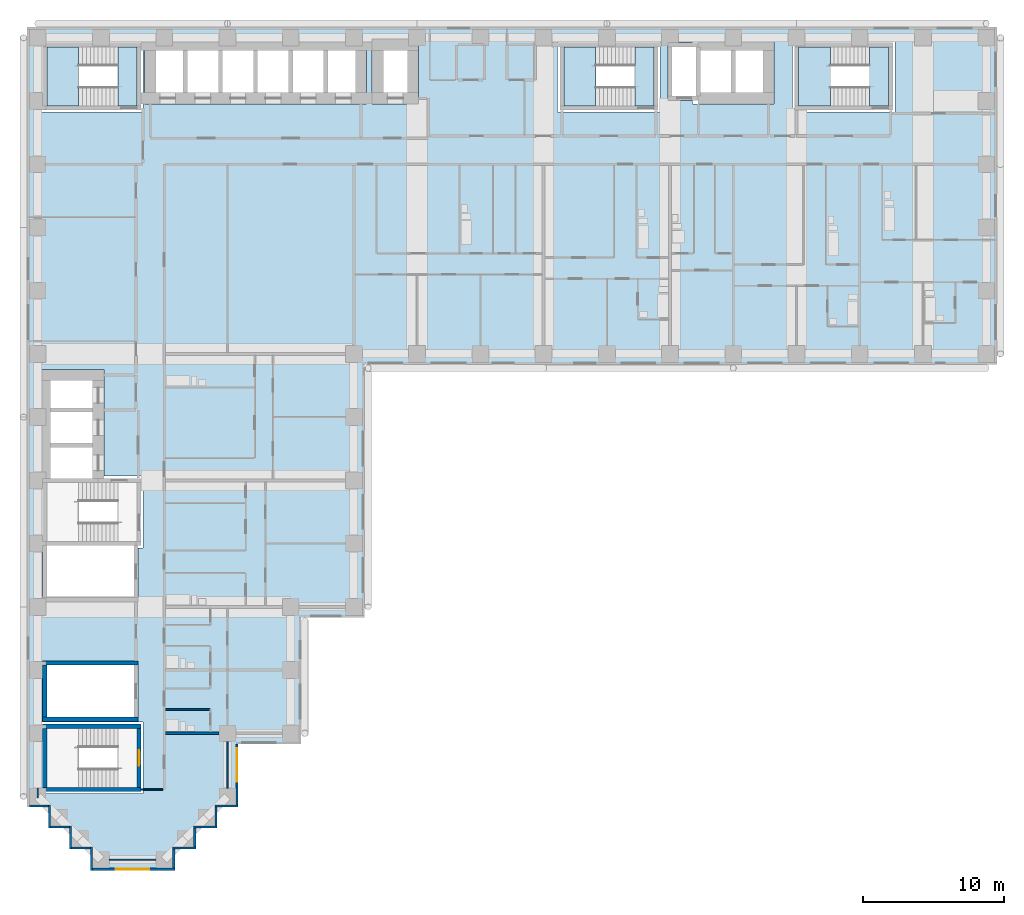
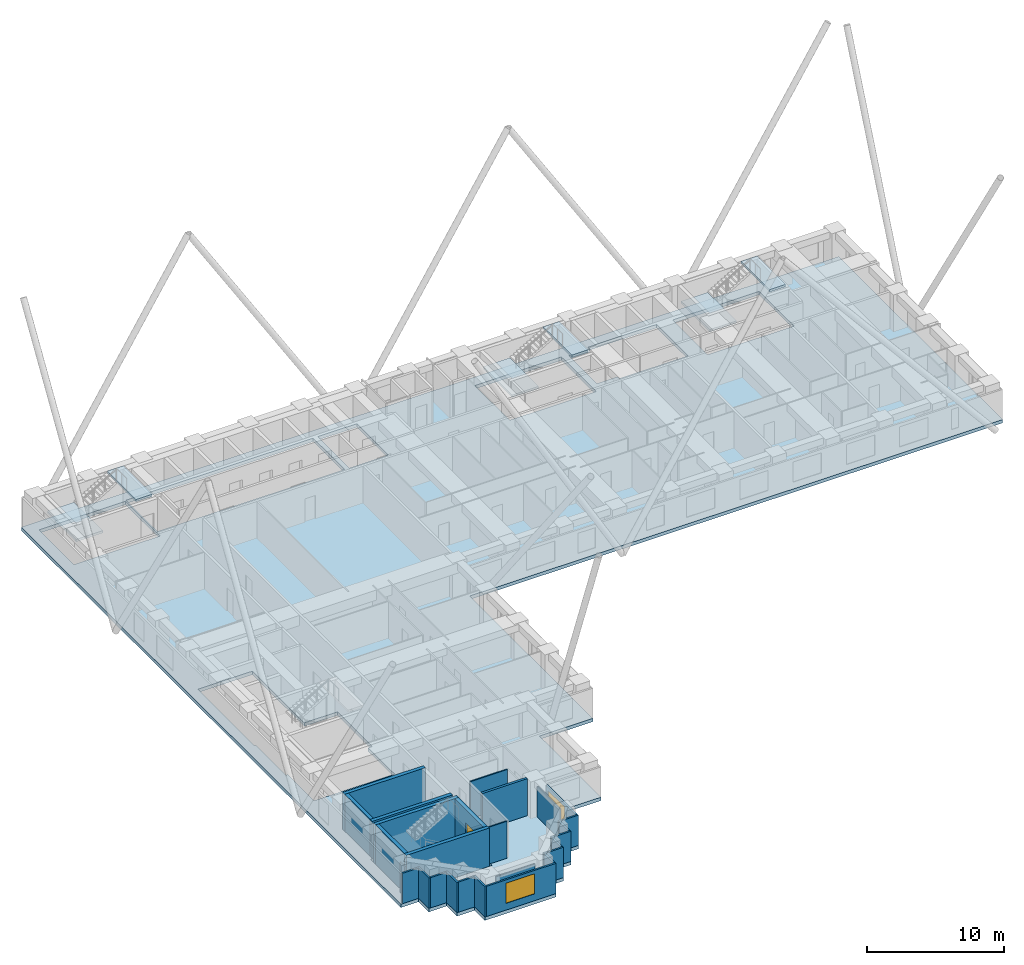
# One storey, part 2 of 13: 27 walls, 7 slabs, 2 windows, 1 door, 3 openings, 3 elements without a shape of their own.
"""IFC4 building model written with IfcOpenShell, lengths in metres."""

import ifcopenshell
import ifcopenshell.guid

model = None  # the IFC model being written
_history = None  # IfcOwnerHistory: only IFC2X3 demands one
_inside = {}  # id of a spatial element -> (the spatial element, [elements in it])
_under = {}  # id of a project, library or spatial element -> (it, [spatial elements below it])
_declared = {}  # id of a project -> (the project, [libraries it declares])
_typed = {}  # id of a type object -> (the type object, [elements of that type])
_made_of = {}  # id of a material, layer set ... -> (it, [elements and type objects made of it])


def new_model(schema):
    """Start an empty IFC model of exactly this schema.

    Asked for "IFC4X3", IfcOpenShell would pick the latest addendum, in which some entities
    have other attributes; the version numbers below select the first issue.
    IFC2X3 requires an IfcOwnerHistory on every rooted entity: one is made here for all.
    """
    global model, _history
    if schema == "IFC4X3":
        model = ifcopenshell.file(schema_version=(4, 3, 0, 0))
    else:
        model = ifcopenshell.file(schema=schema)
    _inside.clear()
    _under.clear()
    _declared.clear()
    _typed.clear()
    _made_of.clear()
    _history = None
    if model.schema == "IFC2X3":
        org = make("IfcOrganization", Name="unknown")
        user = make(
            "IfcPersonAndOrganization",
            ThePerson=make("IfcPerson", FamilyName="unknown"),
            TheOrganization=org,
        )
        app = make(
            "IfcApplication",
            ApplicationDeveloper=org,
            Version="unknown",
            ApplicationFullName="unknown",
            ApplicationIdentifier="unknown",
        )
        _history = make(
            "IfcOwnerHistory",
            OwningUser=user,
            OwningApplication=app,
            ChangeAction="ADDED",
            CreationDate=0,
        )
    return model


def make(cls, **values):
    """One entity of the class cls with the attributes given. An attribute that is None is left unset."""
    return model.create_entity(
        cls, **{name: value for name, value in values.items() if value is not None}
    )


def rooted(cls, **values):
    """An entity with a GlobalId (a new one), such as an element, a storey or a relation."""
    return make(cls, GlobalId=ifcopenshell.guid.new(), OwnerHistory=_history, **values)


def si_unit(unit_type, name, prefix=None):
    """IfcSIUnit, for example si_unit("LENGTHUNIT", "METRE", prefix="MILLI")."""
    return make("IfcSIUnit", UnitType=unit_type, Prefix=prefix, Name=name)


def assignment(units):
    """IfcUnitAssignment: the units of a project."""
    return None if units is None else make("IfcUnitAssignment", Units=units)


def point(xyz):
    """IfcCartesianPoint."""
    return None if xyz is None else make("IfcCartesianPoint", Coordinates=xyz)


def direction(xyz):
    """IfcDirection."""
    return None if xyz is None else make("IfcDirection", DirectionRatios=xyz)


def frame(location, z_axis=None, x_axis=None):
    """IfcAxis2Placement3D, a coordinate frame: its origin and axes. An axis left out is left unset."""
    return make(
        "IfcAxis2Placement3D",
        Location=point(location),
        Axis=direction(z_axis),
        RefDirection=direction(x_axis),
    )


def frame_2d(location, x_axis=None):
    """IfcAxis2Placement2D, a coordinate frame in the plane: its origin and x axis."""
    return make(
        "IfcAxis2Placement2D", Location=point(location), RefDirection=direction(x_axis)
    )


def origin():
    """The frame at (0, 0, 0) with its axes left unset."""
    return frame((0.0, 0.0, 0.0))


def place(relative_to, where):
    """IfcLocalPlacement: puts the frame where relative to a parent placement (None: the world)."""
    return make(
        "IfcLocalPlacement", PlacementRelTo=relative_to, RelativePlacement=where
    )


def context(
    kind, dimensions, precision=None, world=None, true_north=None, identifier=None
):
    """IfcGeometricRepresentationContext, for example the 3D "Model" context."""
    return make(
        "IfcGeometricRepresentationContext",
        ContextIdentifier=identifier,
        ContextType=kind,
        CoordinateSpaceDimension=dimensions,
        Precision=precision,
        WorldCoordinateSystem=world,
        TrueNorth=true_north,
    )


def subcontext(parent, identifier, kind, view, scale=None):
    """IfcGeometricRepresentationSubContext, for example "Body" below "Model"."""
    return make(
        "IfcGeometricRepresentationSubContext",
        ContextIdentifier=identifier,
        ContextType=kind,
        ParentContext=parent,
        TargetScale=scale,
        TargetView=view,
    )


def project(units=None, contexts=None):
    """IfcProject with its units and contexts."""
    return rooted(
        "IfcProject",
        Name="project",
        RepresentationContexts=contexts,
        UnitsInContext=assignment(units),
    )


def spatial(cls, under=None, at=None, **own):
    """A site, building, storey or space (cls), placed at a placement, below another one or the project."""
    s = rooted(cls, ObjectPlacement=at, **own)
    if under is not None:
        _under.setdefault(under.id(), (under, []))[1].append(s)
    return s


def polyline(points):
    """IfcPolyline through the points."""
    return make("IfcPolyline", Points=[point(p) for p in points])


def profile(cls, at=None, kind="AREA", **sizes):
    """A parametric profile (cls). Its sizes go by their IFC names, for example OverallWidth=200.0."""
    return make(cls, ProfileType=kind, Position=at, **sizes)


def rectangle(**sizes):
    """IfcRectangleProfileDef."""
    return profile("IfcRectangleProfileDef", **sizes)


def outline(outer, holes=None, kind="AREA"):
    """IfcArbitraryClosedProfileDef: a profile drawn as a closed curve; with holes, ...WithVoids."""
    if holes is None:
        return make("IfcArbitraryClosedProfileDef", ProfileType=kind, OuterCurve=outer)
    return make(
        "IfcArbitraryProfileDefWithVoids",
        ProfileType=kind,
        OuterCurve=outer,
        InnerCurves=holes,
    )


def extrude(swept, where, along, depth):
    """IfcExtrudedAreaSolid: the profile swept, set in the frame where, extruded along a direction by depth."""
    return make(
        "IfcExtrudedAreaSolid",
        SweptArea=swept,
        Position=where,
        ExtrudedDirection=direction(along),
        Depth=depth,
    )


def shape(context_of_items, identifier, shape_type, items):
    """IfcShapeRepresentation: the items that make up one representation, for example the "Body"."""
    return make(
        "IfcShapeRepresentation",
        ContextOfItems=context_of_items,
        RepresentationIdentifier=identifier,
        RepresentationType=shape_type,
        Items=items,
    )


def material(Name=None, Category=None):
    """IfcMaterial."""
    return make("IfcMaterial", Name=Name, Category=Category)


def layer(
    of_material, thickness, ventilated=None, Name=None, Category=None, Priority=None
):
    """IfcMaterialLayer: one layer of a wall or slab, of a material (None: an air gap)."""
    return make(
        "IfcMaterialLayer",
        Material=of_material,
        LayerThickness=thickness,
        IsVentilated=ventilated,
        Name=Name,
        Category=Category,
        Priority=Priority,
    )


def layer_set(layers, Name=None):
    """IfcMaterialLayerSet."""
    return make("IfcMaterialLayerSet", MaterialLayers=layers, LayerSetName=Name)


def made_of(thing, what):
    """Note that an element or type object is made of a material, layer set ...; save() writes the relation."""
    if what is not None:
        _made_of.setdefault(what.id(), (what, []))[1].append(thing)
    return thing


def type_object(cls, material=None, **own):
    """A type object (cls), such as IfcWallType, which elements share."""
    return made_of(rooted(cls, **own), material)


def element(
    cls,
    number,
    at=None,
    inside=None,
    cuts=None,
    type_object=None,
    material=None,
    context=None,
    identifier="Body",
    shape_type=None,
    held_by="IfcProductDefinitionShape",
    body=None,
    shapes=None,
    **own,
):
    """One element of the class cls, such as IfcWall. Its Tag is "e" and its number.

    at: its placement. inside: the storey or other place that contains it. cuts: it is an
    opening in that element (IfcRelVoidsElement). A single representation is given by context,
    identifier, shape_type and body (its items); several are given by shapes. held_by: the class
    of the entity that holds the representations. save() writes the other relations.
    """
    e = rooted(cls, Tag="e%d" % number, ObjectPlacement=at, **own)
    if body is not None:
        shapes = [shape(context, identifier, shape_type, body)]
    if shapes is not None:
        e.Representation = make(held_by, Representations=shapes)
    if inside is not None:
        _inside.setdefault(inside.id(), (inside, []))[1].append(e)
    if cuts is not None:
        rooted(
            "IfcRelVoidsElement", RelatingBuildingElement=cuts, RelatedOpeningElement=e
        )
    if type_object is not None:
        _typed.setdefault(type_object.id(), (type_object, []))[1].append(e)
    return made_of(e, material)


def fill(opening, filler):
    """IfcRelFillsElement: the door or window that sits in an opening."""
    return rooted(
        "IfcRelFillsElement",
        RelatingOpeningElement=opening,
        RelatedBuildingElement=filler,
    )


def aggregate(whole, parts):
    """IfcRelAggregates: a whole, such as a stair, and the parts it consists of."""
    return rooted("IfcRelAggregates", RelatingObject=whole, RelatedObjects=parts)


def save(model, path):
    """Write the relations noted so far, then the file.

    IfcRelAggregates (storeys below a building ...), IfcRelContainedInSpatialStructure (elements
    in a storey), IfcRelDefinesByType, IfcRelAssociatesMaterial and IfcRelDeclares: one each for
    every whole, place, type object, material and project.
    """
    for whole, parts in _under.values():
        aggregate(whole, parts)
    for where, things in _inside.values():
        rooted(
            "IfcRelContainedInSpatialStructure",
            RelatedElements=things,
            RelatingStructure=where,
        )
    for kind, things in _typed.values():
        rooted("IfcRelDefinesByType", RelatedObjects=things, RelatingType=kind)
    for what, things in _made_of.values():
        rooted("IfcRelAssociatesMaterial", RelatedObjects=things, RelatingMaterial=what)
    for by, libraries in _declared.values():
        rooted("IfcRelDeclares", RelatingContext=by, RelatedDefinitions=libraries)
    model.write(path)


model = new_model("IFC4")

# Units and contexts
model_context = context("Model", 3, precision=1e-05, world=origin(), true_north=direction((0.0, 1.0)))
body_context = subcontext(model_context, "Body", "Model", "MODEL_VIEW")
ifc_project = project(units=[si_unit("LENGTHUNIT", "METRE"), si_unit("AREAUNIT", "SQUARE_METRE"), si_unit("VOLUMEUNIT", "CUBIC_METRE"), si_unit("PLANEANGLEUNIT", "RADIAN"), si_unit("MASSUNIT", "GRAM", prefix="KILO")], contexts=[model_context])

# Site, building, storey
site_placement = place(None, origin())
site = spatial("IfcSite", under=ifc_project, at=site_placement, CompositionType="ELEMENT")
building_placement = place(site_placement, origin())
building = spatial("IfcBuilding", under=site, at=building_placement, Name="Firuza Court", CompositionType="ELEMENT")
storey_placement = place(building_placement, frame((0.0, 0.0, 72.199951171875)))
storey = spatial("IfcBuildingStorey", under=building, at=storey_placement, Name="L17", CompositionType="ELEMENT", Elevation=72.199951171875)

# Slab
ifc_material_1 = material(Name="Concrete C40/50", Category="concrete")
ifc_layer_1 = layer(ifc_material_1, 0.300048828125)
ifc_layer_set_1 = layer_set([ifc_layer_1], Name="Concrete C40/50")
slab_type_1 = type_object("IfcSlabType", Name="Floor slab 300 C40/50", PredefinedType="FLOOR", material=ifc_layer_set_1)
slab_1_placement = place(storey_placement, frame((0.0, 0.0, -0.300048828125)))
element("IfcSlab", 1, at=slab_1_placement, inside=storey, type_object=slab_type_1, Name="Floor slab L17", PredefinedType="FLOOR", context=body_context, shape_type="SweptSolid", body=[
    extrude(outline(polyline([(3.75, -0.75), (3.75, 0.75), (2.25, 0.75), (2.25, 2.25), (0.75, 2.25), (0.75, 3.75), (-0.75, 3.75), (-0.75, 59.25), (68.25, 59.25), (68.25, 35.25), (23.25, 35.25), (23.25, 17.25), (18.75, 17.25), (18.75, 8.25), (14.25, 8.25), (14.25, 3.75), (12.75, 3.75), (12.75, 2.25), (11.25, 2.25), (11.25, 0.75), (9.75, 0.75), (9.75, -0.75), (3.75, -0.75)]), holes=[polyline([(7.5, 9.800048828125), (0.199951171875, 9.800048828125), (0.199951171875, 4.699951171875), (7.5, 4.699951171875), (7.5, 9.800048828125)]), polyline([(7.14990234375, 14.14990234375), (0.35009765625, 14.14990234375), (0.35009765625, 9.85009765625), (7.14990234375, 9.85009765625), (7.14990234375, 14.14990234375)]), polyline([(0.199951171875, 22.199951171875), (0.35009765625, 22.199951171875), (0.35009765625, 18.35009765625), (7.14990234375, 18.35009765625), (7.14990234375, 22.199951171875), (7.5, 22.199951171875), (7.5, 27.300048828125), (4.699951171875, 27.300048828125), (4.699951171875, 29.10009765625), (4.699951171875, 29.89990234375), (4.699951171875, 31.60009765625), (4.699951171875, 32.39990234375), (4.699951171875, 34.89990234375), (0.10009765625, 34.89990234375), (0.10009765625, 32.39990234375), (0.10009765625, 31.60009765625), (0.10009765625, 29.89990234375), (0.10009765625, 29.10009765625), (0.10009765625, 26.60009765625), (0.199951171875, 26.60009765625), (0.199951171875, 22.199951171875)]), polyline([(7.5, 58.300048828125), (0.199951171875, 58.300048828125), (0.199951171875, 53.199951171875), (7.5, 53.199951171875), (7.5, 58.300048828125)]), polyline([(10.10009765625, 58.39990234375), (7.60009765625, 58.39990234375), (7.60009765625, 53.800048828125), (10.10009765625, 53.800048828125), (10.89990234375, 53.800048828125), (12.60009765625, 53.800048828125), (13.39990234375, 53.800048828125), (15.10009765625, 53.800048828125), (15.89990234375, 53.800048828125), (17.60009765625, 53.800048828125), (18.39990234375, 53.800048828125), (20.10009765625, 53.800048828125), (20.89990234375, 53.800048828125), (23.39990234375, 53.800048828125), (23.39990234375, 58.39990234375), (20.89990234375, 58.39990234375), (20.10009765625, 58.39990234375), (18.39990234375, 58.39990234375), (17.60009765625, 58.39990234375), (15.89990234375, 58.39990234375), (15.10009765625, 58.39990234375), (13.39990234375, 58.39990234375), (12.60009765625, 58.39990234375), (10.89990234375, 58.39990234375), (10.10009765625, 58.39990234375)]), polyline([(44.300048828125, 58.300048828125), (37.0, 58.300048828125), (37.0, 53.199951171875), (44.300048828125, 53.199951171875), (44.300048828125, 58.300048828125)]), polyline([(61.0, 58.300048828125), (53.699951171875, 58.300048828125), (53.699951171875, 53.199951171875), (61.0, 53.199951171875), (61.0, 58.300048828125)]), polyline([(27.10009765625, 58.39990234375), (23.800048828125, 58.39990234375), (23.800048828125, 53.800048828125), (27.10009765625, 53.800048828125), (27.10009765625, 58.39990234375)]), polyline([(46.60009765625, 58.14990234375), (44.85009765625, 58.14990234375), (44.85009765625, 54.050048828125), (46.60009765625, 54.050048828125), (46.60009765625, 53.800048828125), (49.10009765625, 53.800048828125), (49.89990234375, 53.800048828125), (52.39990234375, 53.800048828125), (52.39990234375, 58.39990234375), (49.89990234375, 58.39990234375), (49.10009765625, 58.39990234375), (46.60009765625, 58.39990234375), (46.60009765625, 58.14990234375)])]), origin(), (0.0, 0.0, 1.0), 0.300048828125),
])

# Stair, slabs
ifc_material_2 = material(Name="Concrete C40/50 precast", Category="concrete")
stair_type = type_object("IfcStairType", Name="Stair 1350 x 3600 2 flights", PredefinedType="HALF_TURN_STAIR", material=ifc_material_2)
stair_1_placement = place(storey_placement, origin())
stair_1 = element("IfcStair", 2, at=stair_1_placement, inside=storey, type_object=stair_type, Name="Stair 1 L17", PredefinedType="HALF_TURN_STAIR")
ifc_material_3 = material(Name="Concrete C40/50 precast", Category="concrete")
ifc_layer_2 = layer(ifc_material_3, 0.199951171875)
ifc_layer_set_2 = layer_set([ifc_layer_2], Name="Concrete C40/50 precast")
slab_type_2 = type_object("IfcSlabType", Name="Stair landing 200", PredefinedType="LANDING", material=ifc_layer_set_2)
slab_2_placement = place(storey_placement, frame((0.0, 0.0, 1.60009765625)))
slab_2 = element("IfcSlab", 3, at=slab_2_placement, type_object=slab_type_2, Name="S1 landing 1", PredefinedType="LANDING", context=body_context, shape_type="SweptSolid", body=[
    extrude(outline(polyline([(39.699951171875, 53.64990234375), (39.699951171875, 57.85009765625), (37.449951171875, 57.85009765625), (37.449951171875, 53.64990234375), (39.699951171875, 53.64990234375)])), origin(), (0.0, 0.0, 1.0), 0.199951171875),
])
slab_3_placement = place(storey_placement, frame((0.0, 0.0, 3.400146484375)))
slab_3 = element("IfcSlab", 4, at=slab_3_placement, type_object=slab_type_2, Name="S1 landing 2", PredefinedType="LANDING", context=body_context, shape_type="SweptSolid", body=[
    extrude(outline(polyline([(43.85009765625, 53.64990234375), (43.85009765625, 57.85009765625), (42.5, 57.85009765625), (42.5, 53.64990234375), (43.85009765625, 53.64990234375)])), origin(), (0.0, 0.0, 1.0), 0.199951171875),
])
aggregate(stair_1, [slab_2, slab_3])

stair_2_placement = place(storey_placement, origin())
stair_2 = element("IfcStair", 5, at=stair_2_placement, inside=storey, type_object=stair_type, Name="Stair 3 L17", PredefinedType="HALF_TURN_STAIR")
slab_4_placement = place(storey_placement, frame((0.0, 0.0, 1.60009765625)))
slab_4 = element("IfcSlab", 6, at=slab_4_placement, type_object=slab_type_2, Name="S3 landing 1", PredefinedType="LANDING", context=body_context, shape_type="SweptSolid", body=[
    extrude(outline(polyline([(2.89990234375, 53.64990234375), (2.89990234375, 57.85009765625), (0.64990234375, 57.85009765625), (0.64990234375, 53.64990234375), (2.89990234375, 53.64990234375)])), origin(), (0.0, 0.0, 1.0), 0.199951171875),
])
slab_5_placement = place(storey_placement, frame((0.0, 0.0, 3.400146484375)))
slab_5 = element("IfcSlab", 7, at=slab_5_placement, type_object=slab_type_2, Name="S3 landing 2", PredefinedType="LANDING", context=body_context, shape_type="SweptSolid", body=[
    extrude(outline(polyline([(7.050048828125, 53.64990234375), (7.050048828125, 57.85009765625), (5.699951171875, 57.85009765625), (5.699951171875, 53.64990234375), (7.050048828125, 53.64990234375)])), origin(), (0.0, 0.0, 1.0), 0.199951171875),
])
aggregate(stair_2, [slab_4, slab_5])

stair_3_placement = place(storey_placement, origin())
stair_3 = element("IfcStair", 8, at=stair_3_placement, inside=storey, type_object=stair_type, Name="Stair 4 L17", PredefinedType="HALF_TURN_STAIR")
slab_6_placement = place(storey_placement, frame((0.0, 0.0, 1.60009765625)))
slab_6 = element("IfcSlab", 9, at=slab_6_placement, type_object=slab_type_2, Name="S4 landing 1", PredefinedType="LANDING", context=body_context, shape_type="SweptSolid", body=[
    extrude(outline(polyline([(56.39990234375, 53.64990234375), (56.39990234375, 57.85009765625), (54.14990234375, 57.85009765625), (54.14990234375, 53.64990234375), (56.39990234375, 53.64990234375)])), origin(), (0.0, 0.0, 1.0), 0.199951171875),
])
slab_7_placement = place(storey_placement, frame((0.0, 0.0, 3.400146484375)))
slab_7 = element("IfcSlab", 10, at=slab_7_placement, type_object=slab_type_2, Name="S4 landing 2", PredefinedType="LANDING", context=body_context, shape_type="SweptSolid", body=[
    extrude(outline(polyline([(60.550048828125, 53.64990234375), (60.550048828125, 57.85009765625), (59.199951171875, 57.85009765625), (59.199951171875, 53.64990234375), (60.550048828125, 53.64990234375)])), origin(), (0.0, 0.0, 1.0), 0.199951171875),
])
aggregate(stair_3, [slab_6, slab_7])

# Walls
ifc_material_4 = material(Name="Moisture-resistant gypsum board partition")
ifc_layer_3 = layer(ifc_material_4, 0.10009765625)
ifc_layer_set_3 = layer_set([ifc_layer_3], Name="Moisture-resistant gypsum board partition")
wall_type_1 = type_object("IfcWallType", Name="Bathroom partition 100", PredefinedType="PLUMBINGWALL", material=ifc_layer_set_3)
wall_1_placement = place(storey_placement, frame((9.10009765625, 10.699951171875, 0.0), z_axis=(0.0, 0.0, 1.0), x_axis=(1.0, 0.0, 0.0)))
element("IfcWall", 11, at=wall_1_placement, inside=storey, type_object=wall_type_1, Name="Bathroom partition 100 L17", PredefinedType="PLUMBINGWALL", context=body_context, shape_type="SweptSolid", body=[
    extrude(rectangle(XDim=3.14990234375, YDim=0.10009765625, at=frame_2d((1.574951171875, 0.0))), origin(), (0.0, 0.0, 1.0), 3.300048828125),
])
ifc_material_5 = material(Name="Concrete C60/75", Category="concrete")
ifc_layer_4 = layer(ifc_material_5, 0.300048828125)
ifc_layer_set_4 = layer_set([ifc_layer_4], Name="Concrete C60/75")
wall_type_2 = type_object("IfcWallType", Name="Core wall 300 C60/75", PredefinedType="SHEAR", material=ifc_layer_set_4)
for number, where, z_axis, x_axis, name in (
    (12, (0.35009765625, 5.0, -0.300048828125), (0.0, 0.0, 1.0), (1.0, 0.0, 0.0), "Core wall stair L17"),
    (13, (0.35009765625, 9.5, -0.300048828125), (0.0, 0.0, 1.0), (1.0, 0.0, 0.0), "Core wall stair L17"),
):
    element("IfcWall", number, at=place(storey_placement, frame(where, z_axis=z_axis, x_axis=x_axis)), inside=storey, type_object=wall_type_2, Name=name, PredefinedType="SHEAR", context=body_context, shape_type="SweptSolid", body=[
        extrude(rectangle(XDim=7.0, YDim=0.300048828125, at=frame_2d((3.5, 0.0))), origin(), (0.0, 0.0, 1.0), 3.60009765625),
    ])
for number, where, z_axis, x_axis, name in (
    (14, (0.35009765625, 10.0, -0.300048828125), (0.0, 0.0, 1.0), (1.0, 0.0, 0.0), "Core wall riser L17"),
    (15, (0.35009765625, 14.0, -0.300048828125), (0.0, 0.0, 1.0), (1.0, 0.0, 0.0), "Core wall riser L17"),
):
    element("IfcWall", number, at=place(storey_placement, frame(where, z_axis=z_axis, x_axis=x_axis)), inside=storey, type_object=wall_type_2, Name=name, PredefinedType="SHEAR", context=body_context, shape_type="SweptSolid", body=[
        extrude(rectangle(XDim=6.7998046875, YDim=0.300048828125, at=frame_2d((3.39990234375, 0.0))), origin(), (0.0, 0.0, 1.0), 3.60009765625),
    ])
wall_2_placement = place(storey_placement, frame((0.5, 5.14990234375, -0.300048828125), z_axis=(0.0, 0.0, 1.0), x_axis=(0.0, 1.0, 0.0)))
element("IfcWall", 16, at=wall_2_placement, inside=storey, type_object=wall_type_2, Name="Core wall stair L17", PredefinedType="SHEAR", context=body_context, shape_type="SweptSolid", body=[
    extrude(rectangle(XDim=4.2001953125, YDim=0.300048828125, at=frame_2d((2.10009765625, 0.0))), origin(), (0.0, 0.0, 1.0), 3.60009765625),
])
wall_3_placement = place(storey_placement, frame((0.5, 10.14990234375, -0.300048828125), z_axis=(0.0, 0.0, 1.0), x_axis=(0.0, 1.0, 0.0)))
element("IfcWall", 17, at=wall_3_placement, inside=storey, type_object=wall_type_2, Name="Core wall riser L17", PredefinedType="SHEAR", context=body_context, shape_type="SweptSolid", body=[
    extrude(rectangle(XDim=3.7001953125, YDim=0.300048828125, at=frame_2d((1.85009765625, 0.0))), origin(), (0.0, 0.0, 1.0), 3.60009765625),
])

# Wall, opening, door
wall_4_placement = place(storey_placement, frame((7.199951171875, 5.14990234375, -0.300048828125), z_axis=(0.0, 0.0, 1.0), x_axis=(0.0, 1.0, 0.0)))
wall_4 = element("IfcWall", 18, at=wall_4_placement, inside=storey, type_object=wall_type_2, Name="Core wall stair L17", PredefinedType="SHEAR", context=body_context, shape_type="SweptSolid", body=[
    extrude(rectangle(XDim=4.2001953125, YDim=0.300048828125, at=frame_2d((2.10009765625, 0.0))), origin(), (0.0, 0.0, 1.0), 3.60009765625),
])
opening_1_placement = place(wall_4_placement, frame((1.550048828125, 0.0, 0.300048828125)))
opening_1 = element("IfcOpeningElement", 19, at=opening_1_placement, cuts=wall_4, Name="Opening D17018", PredefinedType="OPENING", context=body_context, shape_type="SweptSolid", body=[
    extrude(rectangle(XDim=1.10009765625, YDim=2.10009765625, at=frame_2d((0.550048828125, 1.050048828125))), frame((0.0, 0.162109375, 0.0), z_axis=(0.0, -1.0, 0.0), x_axis=(1.0, 0.0, 0.0)), (0.0, 0.0, 1.0), 0.323974609375),
])
ifc_material_6 = material(Name="Timber door leaf in hardwood frame", Category="wood")
door_type = type_object("IfcDoorType", Name="Stair door 1100", OperationType="SINGLE_SWING_LEFT", PredefinedType="DOOR", material=ifc_material_6)
door_placement = place(opening_1_placement, origin())
door = element("IfcDoor", 20, at=door_placement, inside=storey, type_object=door_type, Name="Stair door S5", OperationType="SINGLE_SWING_LEFT", OverallHeight=2.10009765625, OverallWidth=1.10009765625, PredefinedType="DOOR", context=body_context, shape_type="SweptSolid", body=[
    extrude(rectangle(XDim=1.10009765625, YDim=2.10009765625, at=frame_2d((0.550048828125, 1.050048828125))), frame((0.0, 0.02490234375, 0.0), z_axis=(0.0, -1.0, 0.0), x_axis=(1.0, 0.0, 0.0)), (0.0, 0.0, 1.0), 0.050048828125),
])
fill(opening_1, door)

# Walls
ifc_material_7 = material(Name="Timber stud partition, plasterboard both sides", Category="wood")
ifc_layer_5 = layer(ifc_material_7, 0.10009765625)
ifc_layer_set_5 = layer_set([ifc_layer_5], Name="Timber stud partition, plasterboard both sides")
wall_type_3 = type_object("IfcWallType", Name="Partition wall 100", PredefinedType="PARTITIONING", material=ifc_layer_set_5)
wall_5_placement = place(storey_placement, frame((5.10009765625, 0.0, 0.0), z_axis=(0.0, 0.0, 1.0), x_axis=(1.0, 0.0, 0.0)))
element("IfcWall", 21, at=wall_5_placement, inside=storey, type_object=wall_type_3, Name="Partition wall 100 L17", PredefinedType="PARTITIONING", context=body_context, shape_type="SweptSolid", body=[
    extrude(rectangle(XDim=3.2998046875, YDim=0.10009765625, at=frame_2d((1.64990234375, 0.0))), origin(), (0.0, 0.0, 1.0), 2.699951171875),
])
wall_6_placement = place(storey_placement, frame((0.0, 4.39990234375, 0.0), z_axis=(0.0, 0.0, 1.0), x_axis=(0.0, 1.0, 0.0)))
element("IfcWall", 22, at=wall_6_placement, inside=storey, type_object=wall_type_3, Name="Partition wall 100 L17", PredefinedType="PARTITIONING", context=body_context, shape_type="SweptSolid", body=[
    extrude(rectangle(XDim=0.7001953125, YDim=0.10009765625, at=frame_2d((0.35009765625, 0.0))), origin(), (0.0, 0.0, 1.0), 2.699951171875),
])
wall_7_placement = place(storey_placement, frame((7.34912109375, 5.0, 0.0), z_axis=(0.0, 0.0, 1.0), x_axis=(1.0, 0.0, 0.0)))
element("IfcWall", 23, at=wall_7_placement, inside=storey, type_object=wall_type_3, Name="Partition wall 100 L17", PredefinedType="PARTITIONING", context=body_context, shape_type="SweptSolid", body=[
    extrude(rectangle(XDim=1.55078125, YDim=0.10009765625, at=frame_2d((0.775390625, 0.0))), origin(), (0.0, 0.0, 1.0), 3.300048828125),
])
wall_8_placement = place(storey_placement, frame((13.5, 5.10009765625, 0.0), z_axis=(0.0, 0.0, 1.0), x_axis=(0.0, 1.0, 0.0)))
element("IfcWall", 24, at=wall_8_placement, inside=storey, type_object=wall_type_3, Name="Partition wall 100 L17", PredefinedType="PARTITIONING", context=body_context, shape_type="SweptSolid", body=[
    extrude(rectangle(XDim=3.2998046875, YDim=0.10009765625, at=frame_2d((1.64990234375, 0.0))), origin(), (0.0, 0.0, 1.0), 2.699951171875),
])
ifc_material_8 = material(Name="Blockwork, plastered both sides", Category="masonry")
ifc_layer_6 = layer(ifc_material_8, 0.199951171875)
ifc_layer_set_6 = layer_set([ifc_layer_6], Name="Blockwork, plastered both sides")
wall_type_4 = type_object("IfcWallType", Name="Party wall 200", PredefinedType="PARTITIONING", material=ifc_layer_set_6)
wall_9_placement = place(storey_placement, frame((9.10009765625, 9.0, 0.0), z_axis=(0.0, 0.0, 1.0), x_axis=(1.0, 0.0, 0.0)))
element("IfcWall", 25, at=wall_9_placement, inside=storey, type_object=wall_type_4, Name="Party wall 200 L17", PredefinedType="PARTITIONING", context=body_context, shape_type="SweptSolid", body=[
    extrude(rectangle(XDim=3.7998046875, YDim=0.199951171875, at=frame_2d((1.89990234375, 0.0))), origin(), (0.0, 0.0, 1.0), 3.300048828125),
])
ifc_material_9 = material(Name="Ceramic tile", Category="ceramic")
ifc_layer_7 = layer(ifc_material_9, 0.02001953125)
ifc_material_10 = material(Name="Mineral wool insulation", Category="insulation")
ifc_layer_8 = layer(ifc_material_10, 0.050048828125)
ifc_layer_9 = layer(ifc_material_3, 0.080078125)
ifc_layer_set_7 = layer_set([ifc_layer_7, ifc_layer_8, ifc_layer_9], Name="Concrete C40/50 precast")
wall_type_5 = type_object("IfcWallType", Name="Precast cladding wall with turquoise TILE PANEL face 150", PredefinedType="STANDARD", material=ifc_layer_set_7)
wall_10_placement = place(storey_placement, frame((9.675048828125, -0.60009765625, 0.0), z_axis=(0.0, 0.0, 1.0), x_axis=(0.0, 1.0, 0.0)))
element("IfcWall", 26, at=wall_10_placement, inside=storey, type_object=wall_type_5, Name="Facade wall L17 E", PredefinedType="STANDARD", context=body_context, shape_type="SweptSolid", body=[
    extrude(rectangle(XDim=1.35009765625, YDim=0.14990234375, at=frame_2d((0.675048828125, 0.0))), origin(), (0.0, 0.0, 1.0), 2.699951171875),
])
wall_11_placement = place(storey_placement, frame((9.60009765625, 0.824951171875, 0.0), z_axis=(0.0, 0.0, 1.0), x_axis=(1.0, 0.0, 0.0)))
element("IfcWall", 27, at=wall_11_placement, inside=storey, type_object=wall_type_5, Name="Facade wall L17 S", PredefinedType="STANDARD", context=body_context, shape_type="SweptSolid", body=[
    extrude(rectangle(XDim=1.64990234375, YDim=0.14990234375, at=frame_2d((0.824951171875, 0.0))), origin(), (0.0, 0.0, 1.0), 2.699951171875),
])
wall_12_placement = place(storey_placement, frame((11.175048828125, 0.89990234375, 0.0), z_axis=(0.0, 0.0, 1.0), x_axis=(0.0, 1.0, 0.0)))
element("IfcWall", 28, at=wall_12_placement, inside=storey, type_object=wall_type_5, Name="Facade wall L17 E", PredefinedType="STANDARD", context=body_context, shape_type="SweptSolid", body=[
    extrude(rectangle(XDim=1.35009765625, YDim=0.14990234375, at=frame_2d((0.675048828125, 0.0))), origin(), (0.0, 0.0, 1.0), 2.699951171875),
])
wall_13_placement = place(storey_placement, frame((11.10009765625, 2.324951171875, 0.0), z_axis=(0.0, 0.0, 1.0), x_axis=(1.0, 0.0, 0.0)))
element("IfcWall", 29, at=wall_13_placement, inside=storey, type_object=wall_type_5, Name="Facade wall L17 S", PredefinedType="STANDARD", context=body_context, shape_type="SweptSolid", body=[
    extrude(rectangle(XDim=1.64990234375, YDim=0.14990234375, at=frame_2d((0.824951171875, 0.0))), origin(), (0.0, 0.0, 1.0), 2.699951171875),
])
wall_14_placement = place(storey_placement, frame((12.675048828125, 2.39990234375, 0.0), z_axis=(0.0, 0.0, 1.0), x_axis=(0.0, 1.0, 0.0)))
element("IfcWall", 30, at=wall_14_placement, inside=storey, type_object=wall_type_5, Name="Facade wall L17 E", PredefinedType="STANDARD", context=body_context, shape_type="SweptSolid", body=[
    extrude(rectangle(XDim=1.35009765625, YDim=0.14990234375, at=frame_2d((0.675048828125, 0.0))), origin(), (0.0, 0.0, 1.0), 2.699951171875),
])
wall_15_placement = place(storey_placement, frame((12.60009765625, 3.824951171875, 0.0), z_axis=(0.0, 0.0, 1.0), x_axis=(1.0, 0.0, 0.0)))
element("IfcWall", 31, at=wall_15_placement, inside=storey, type_object=wall_type_5, Name="Facade wall L17 S", PredefinedType="STANDARD", context=body_context, shape_type="SweptSolid", body=[
    extrude(rectangle(XDim=1.64990234375, YDim=0.14990234375, at=frame_2d((0.824951171875, 0.0))), origin(), (0.0, 0.0, 1.0), 2.699951171875),
])

# Wall, opening, window
wall_16_placement = place(storey_placement, frame((14.175048828125, 3.89990234375, 0.0), z_axis=(0.0, 0.0, 1.0), x_axis=(0.0, 1.0, 0.0)))
wall_16 = element("IfcWall", 32, at=wall_16_placement, inside=storey, type_object=wall_type_5, Name="Facade wall L17 E", PredefinedType="STANDARD", context=body_context, shape_type="SweptSolid", body=[
    extrude(rectangle(XDim=4.35009765625, YDim=0.14990234375, at=frame_2d((2.175048828125, 0.0))), origin(), (0.0, 0.0, 1.0), 2.699951171875),
])
opening_2_placement = place(wall_16_placement, frame((1.64990234375, 0.0, 0.60009765625)))
opening_2 = element("IfcOpeningElement", 33, at=opening_2_placement, cuts=wall_16, Name="Opening W1", PredefinedType="OPENING", context=body_context, shape_type="SweptSolid", body=[
    extrude(rectangle(XDim=2.39990234375, YDim=1.800048828125, at=frame_2d((1.199951171875, 0.89990234375))), frame((0.0, 0.0869140625, 0.0), z_axis=(0.0, -1.0, 0.0), x_axis=(1.0, 0.0, 0.0)), (0.0, 0.0, 1.0), 0.173828125),
])
ifc_material_11 = material(Name="Aluminium frame, triple clear glazing", Category="aluminium")
window_type = type_object("IfcWindowType", Name="Window W1 2400 x 1800", PartitioningType="SINGLE_PANEL", PredefinedType="WINDOW", material=ifc_material_11)
window_1_placement = place(opening_2_placement, origin())
window_1 = element("IfcWindow", 34, at=window_1_placement, inside=storey, type_object=window_type, Name="Window L17", OverallHeight=1.800048828125, OverallWidth=2.39990234375, PartitioningType="SINGLE_PANEL", PredefinedType="WINDOW", context=body_context, shape_type="SweptSolid", body=[
    extrude(rectangle(XDim=2.39990234375, YDim=1.800048828125, at=frame_2d((1.199951171875, 0.89990234375))), frame((0.0, 0.030029296875, 0.0), z_axis=(0.0, -1.0, 0.0), x_axis=(1.0, 0.0, 0.0)), (0.0, 0.0, 1.0), 0.06005859375),
])
fill(opening_2, window_1)

# Walls
wall_17_placement = place(storey_placement, frame((-0.60009765625, 3.824951171875, 0.0), z_axis=(0.0, 0.0, 1.0), x_axis=(1.0, 0.0, 0.0)))
element("IfcWall", 35, at=wall_17_placement, inside=storey, type_object=wall_type_5, Name="Facade wall L17 S", PredefinedType="STANDARD", context=body_context, shape_type="SweptSolid", body=[
    extrude(rectangle(XDim=1.35009765625, YDim=0.14990234375, at=frame_2d((0.675048828125, 0.0))), origin(), (0.0, 0.0, 1.0), 2.699951171875),
])
wall_18_placement = place(storey_placement, frame((0.824951171875, 3.89990234375, 0.0), z_axis=(0.0, 0.0, 1.0), x_axis=(0.0, -1.0, 0.0)))
element("IfcWall", 36, at=wall_18_placement, inside=storey, type_object=wall_type_5, Name="Facade wall L17 W", PredefinedType="STANDARD", context=body_context, shape_type="SweptSolid", body=[
    extrude(rectangle(XDim=1.64990234375, YDim=0.14990234375, at=frame_2d((0.824951171875, 0.0))), origin(), (0.0, 0.0, 1.0), 2.699951171875),
])
wall_19_placement = place(storey_placement, frame((0.89990234375, 2.324951171875, 0.0), z_axis=(0.0, 0.0, 1.0), x_axis=(1.0, 0.0, 0.0)))
element("IfcWall", 37, at=wall_19_placement, inside=storey, type_object=wall_type_5, Name="Facade wall L17 S", PredefinedType="STANDARD", context=body_context, shape_type="SweptSolid", body=[
    extrude(rectangle(XDim=1.35009765625, YDim=0.14990234375, at=frame_2d((0.675048828125, 0.0))), origin(), (0.0, 0.0, 1.0), 2.699951171875),
])
wall_20_placement = place(storey_placement, frame((2.324951171875, 2.39990234375, 0.0), z_axis=(0.0, 0.0, 1.0), x_axis=(0.0, -1.0, 0.0)))
element("IfcWall", 38, at=wall_20_placement, inside=storey, type_object=wall_type_5, Name="Facade wall L17 W", PredefinedType="STANDARD", context=body_context, shape_type="SweptSolid", body=[
    extrude(rectangle(XDim=1.64990234375, YDim=0.14990234375, at=frame_2d((0.824951171875, 0.0))), origin(), (0.0, 0.0, 1.0), 2.699951171875),
])
wall_21_placement = place(storey_placement, frame((2.39990234375, 0.824951171875, 0.0), z_axis=(0.0, 0.0, 1.0), x_axis=(1.0, 0.0, 0.0)))
element("IfcWall", 39, at=wall_21_placement, inside=storey, type_object=wall_type_5, Name="Facade wall L17 S", PredefinedType="STANDARD", context=body_context, shape_type="SweptSolid", body=[
    extrude(rectangle(XDim=1.35009765625, YDim=0.14990234375, at=frame_2d((0.675048828125, 0.0))), origin(), (0.0, 0.0, 1.0), 2.699951171875),
])
wall_22_placement = place(storey_placement, frame((3.824951171875, 0.89990234375, 0.0), z_axis=(0.0, 0.0, 1.0), x_axis=(0.0, -1.0, 0.0)))
element("IfcWall", 40, at=wall_22_placement, inside=storey, type_object=wall_type_5, Name="Facade wall L17 W", PredefinedType="STANDARD", context=body_context, shape_type="SweptSolid", body=[
    extrude(rectangle(XDim=1.64990234375, YDim=0.14990234375, at=frame_2d((0.824951171875, 0.0))), origin(), (0.0, 0.0, 1.0), 2.699951171875),
])

# Wall, opening, window
wall_23_placement = place(storey_placement, frame((3.89990234375, -0.675048828125, 0.0), z_axis=(0.0, 0.0, 1.0), x_axis=(1.0, 0.0, 0.0)))
wall_23 = element("IfcWall", 41, at=wall_23_placement, inside=storey, type_object=wall_type_5, Name="Facade wall L17 S", PredefinedType="STANDARD", context=body_context, shape_type="SweptSolid", body=[
    extrude(rectangle(XDim=5.85009765625, YDim=0.14990234375, at=frame_2d((2.925048828125, 0.0))), origin(), (0.0, 0.0, 1.0), 2.699951171875),
])
opening_3_placement = place(wall_23_placement, frame((1.64990234375, 0.0, 0.60009765625)))
opening_3 = element("IfcOpeningElement", 42, at=opening_3_placement, cuts=wall_23, Name="Opening W1", PredefinedType="OPENING", context=body_context, shape_type="SweptSolid", body=[
    extrude(rectangle(XDim=2.39990234375, YDim=1.800048828125, at=frame_2d((1.199951171875, 0.89990234375))), frame((0.0, 0.0869140625, 0.0), z_axis=(0.0, -1.0, 0.0), x_axis=(1.0, 0.0, 0.0)), (0.0, 0.0, 1.0), 0.173828125),
])
window_2_placement = place(opening_3_placement, origin())
window_2 = element("IfcWindow", 43, at=window_2_placement, inside=storey, type_object=window_type, Name="Window L17", OverallHeight=1.800048828125, OverallWidth=2.39990234375, PartitioningType="SINGLE_PANEL", PredefinedType="WINDOW", context=body_context, shape_type="SweptSolid", body=[
    extrude(rectangle(XDim=2.39990234375, YDim=1.800048828125, at=frame_2d((1.199951171875, 0.89990234375))), frame((0.0, 0.030029296875, 0.0), z_axis=(0.0, -1.0, 0.0), x_axis=(1.0, 0.0, 0.0)), (0.0, 0.0, 1.0), 0.06005859375),
])
fill(opening_3, window_2)

save(model, "model.ifc")
